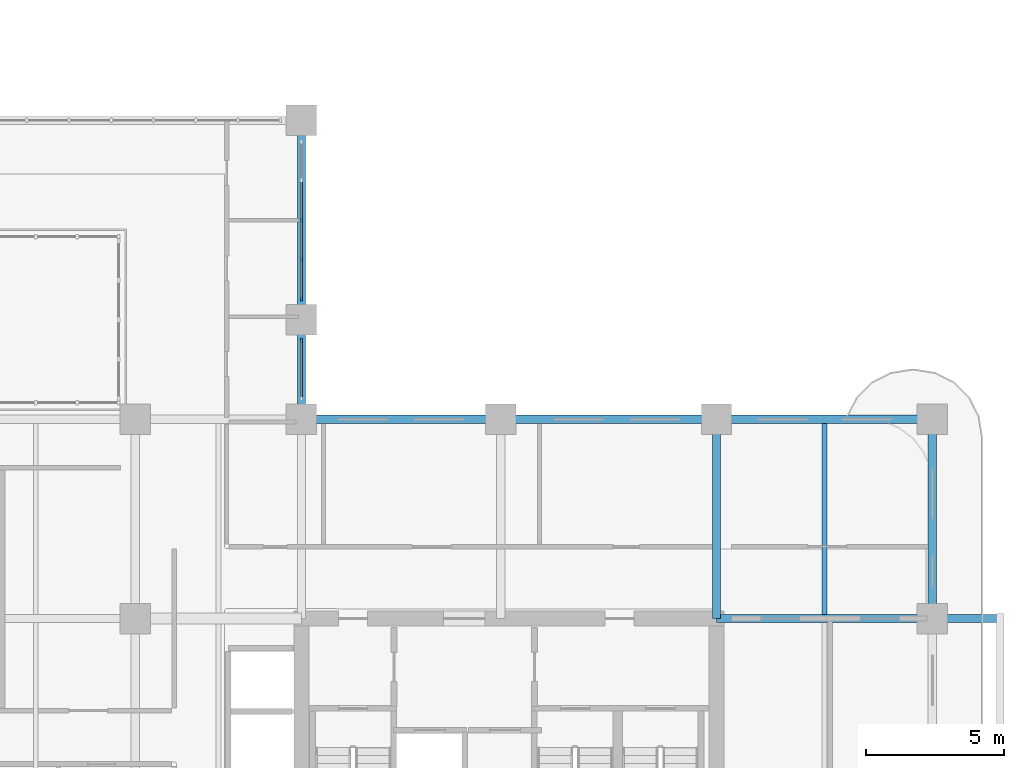
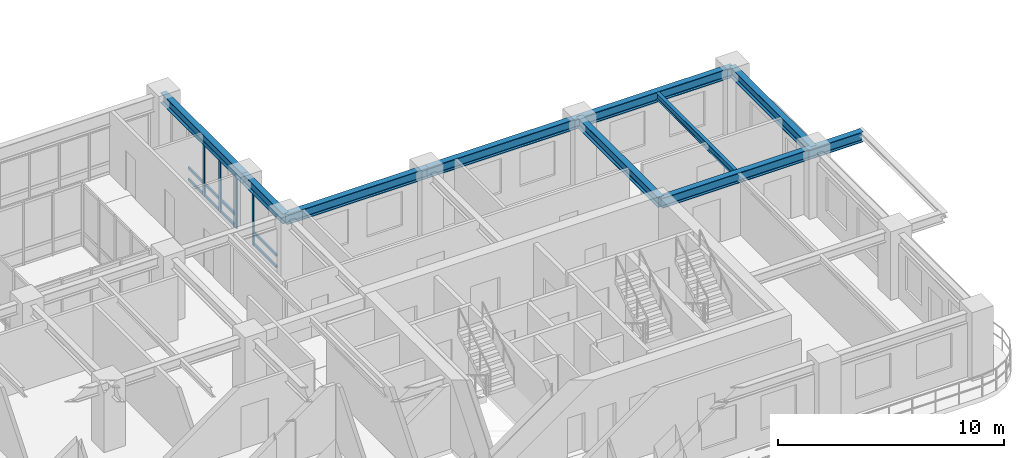
# One storey, part 5 of 22: 16 members, 9 beams, 2 elements without a shape of their own.
"""IFC4 building model written with IfcOpenShell, lengths in metres."""

from ifc_helpers import new_model, si_unit, derived_unit, direction, frame, origin, origin_2d, place, context, subcontext, project, spatial, rectangle, i_section, extrude, source, transform, mapped, material, layer, layer_set, material_profile, profile_set, type_object, type_shapes, element, aggregate, save


model = new_model("IFC4")

# Units and contexts
model_context = context("Model", 3, precision=1e-05, world=origin(), true_north=direction((0.0, 1.0)))
body_context = subcontext(model_context, "Body", "Model", "MODEL_VIEW")
ifc_project = project(units=[si_unit("LENGTHUNIT", "METRE"), si_unit("AREAUNIT", "SQUARE_METRE"), si_unit("VOLUMEUNIT", "CUBIC_METRE"), si_unit("PLANEANGLEUNIT", "RADIAN"), si_unit("MASSUNIT", "GRAM", prefix="KILO"), si_unit("THERMODYNAMICTEMPERATUREUNIT", "KELVIN"), si_unit("POWERUNIT", "WATT"), derived_unit("THERMALTRANSMITTANCEUNIT", [(si_unit("POWERUNIT", "WATT"), 1), (si_unit("AREAUNIT", "SQUARE_METRE"), -1), (si_unit("THERMODYNAMICTEMPERATUREUNIT", "KELVIN"), -1)])], contexts=[model_context])

# Site, building, storey
site_placement = place(None, origin())
site = spatial("IfcSite", under=ifc_project, at=site_placement, CompositionType="ELEMENT")
building_placement = place(site_placement, origin())
building = spatial("IfcBuilding", under=site, at=building_placement, Name="Zahravan Archway Hotel and Residences", CompositionType="ELEMENT")
storey_placement = place(building_placement, frame((0.0, 0.0, 95.300048828125)))
storey = spatial("IfcBuildingStorey", under=building, at=storey_placement, Name="L23", CompositionType="ELEMENT", Elevation=95.300048828125)

# Beams
ifc_material_1 = material(Name="Structural Steel S355JR", Category="steel")
ifc_material_profile_1 = material_profile(ifc_material_1, i_section(OverallWidth=0.300048828125, OverallDepth=0.550048828125, WebThickness=0.014892578125, FlangeThickness=0.029052734375, FilletRadius=0.027099609375, at=origin_2d()), Name="HEB 550", Category="steel")
ifc_profile_set_1 = profile_set([ifc_material_profile_1], Name="Structural Steel S355JR")
beam_type_1 = type_object("IfcBeamType", Name="BM-PRI-HEB550", PredefinedType="BEAM", material=ifc_profile_set_1)
shared_shape_1 = source(origin(), body_context, "Body", "SweptSolid", [
    extrude(i_section(OverallWidth=0.300048828125, OverallDepth=0.550048828125, WebThickness=0.014892578125, FlangeThickness=0.029052734375, FilletRadius=0.027099609375, at=origin_2d()), origin(), (0.0, 0.0, 1.0), 7.2001953125),
])
type_shapes(beam_type_1, [shared_shape_1])
for number, where, z_axis, x_axis, name in (
    (1, (49.800048828125, 14.39990234375, 3.175048828125), (0.0, 1.0, 0.0), (-1.0, 0.0, 0.0), "L23 Primary Girder NS-49"),
    (2, (57.60009765625, 14.39990234375, 3.175048828125), (0.0, 1.0, 0.0), (-1.0, 0.0, 0.0), "L23 Primary Girder NS-52"),
):
    element("IfcBeam", number, at=place(storey_placement, frame(where, z_axis=z_axis, x_axis=x_axis)), inside=storey, type_object=beam_type_1, Name=name, PredefinedType="BEAM", context=body_context, shape_type="MappedRepresentation", body=[
        mapped(shared_shape_1, transform((0.0, 0.0, 0.0), scale=1.0)),
    ])
shared_shape_2 = source(origin(), body_context, "Body", "SweptSolid", [
    extrude(i_section(OverallWidth=0.300048828125, OverallDepth=0.550048828125, WebThickness=0.014892578125, FlangeThickness=0.029052734375, FilletRadius=0.027099609375, at=origin_2d()), origin(), (0.0, 0.0, 1.0), 7.199951171875),
])
for number, where, z_axis, x_axis, name in (
    (3, (34.800048828125, 21.60009765625, 3.175048828125), (1.0, 0.0, 0.0), (0.0, 1.0, 0.0), "L23 Primary Girder EW-17"),
    (4, (34.800048828125, 25.199951171875, 3.175048828125), (0.0, 1.0, 0.0), (-1.0, 0.0, 0.0), "L23 Primary Girder NS-47"),
):
    element("IfcBeam", number, at=place(storey_placement, frame(where, z_axis=z_axis, x_axis=x_axis)), inside=storey, type_object=beam_type_1, Name=name, PredefinedType="BEAM", context=body_context, shape_type="MappedRepresentation", body=[
        mapped(shared_shape_2, transform((0.0, 0.0, 0.0), scale=1.0)),
    ])
shared_shape_3 = source(origin(), body_context, "Body", "SweptSolid", [
    extrude(i_section(OverallWidth=0.300048828125, OverallDepth=0.550048828125, WebThickness=0.014892578125, FlangeThickness=0.029052734375, FilletRadius=0.027099609375, at=origin_2d()), origin(), (0.0, 0.0, 1.0), 7.800048828125),
])
for number, where, z_axis, x_axis, name in (
    (5, (42.0, 21.60009765625, 3.175048828125), (1.0, 0.0, 0.0), (0.0, 1.0, 0.0), "L23 Primary Girder EW-18"),
    (6, (49.800048828125, 21.60009765625, 3.175048828125), (1.0, 0.0, 0.0), (0.0, 1.0, 0.0), "L23 Primary Girder EW-19"),
):
    element("IfcBeam", number, at=place(storey_placement, frame(where, z_axis=z_axis, x_axis=x_axis)), inside=storey, type_object=beam_type_1, Name=name, PredefinedType="BEAM", context=body_context, shape_type="MappedRepresentation", body=[
        mapped(shared_shape_3, transform((0.0, 0.0, 0.0), scale=1.0)),
    ])
shared_shape_4 = source(origin(), body_context, "Body", "SweptSolid", [
    extrude(i_section(OverallWidth=0.300048828125, OverallDepth=0.550048828125, WebThickness=0.014892578125, FlangeThickness=0.029052734375, FilletRadius=0.027099609375, at=origin_2d()), origin(), (0.0, 0.0, 1.0), 3.599853515625),
])
beam_1_placement = place(storey_placement, frame((34.800048828125, 21.60009765625, 3.175048828125), z_axis=(0.0, 1.0, 0.0), x_axis=(-1.0, 0.0, 0.0)))
element("IfcBeam", 7, at=beam_1_placement, inside=storey, type_object=beam_type_1, Name="L23 Primary Girder NS-46", PredefinedType="BEAM", context=body_context, shape_type="MappedRepresentation", body=[
    mapped(shared_shape_4, transform((0.0, 0.0, 0.0), scale=1.0)),
])
shared_shape_5 = source(origin(), body_context, "Body", "SweptSolid", [
    extrude(i_section(OverallWidth=0.300048828125, OverallDepth=0.550048828125, WebThickness=0.014892578125, FlangeThickness=0.029052734375, FilletRadius=0.027099609375, at=origin_2d()), origin(), (0.0, 0.0, 1.0), 10.25),
])
beam_2_placement = place(storey_placement, frame((49.800048828125, 14.39990234375, 3.175048828125), z_axis=(1.0, 0.0, 0.0), x_axis=(0.0, 1.0, 0.0)))
element("IfcBeam", 8, at=beam_2_placement, inside=storey, type_object=beam_type_1, Name="L23 Primary Girder EW-13", PredefinedType="BEAM", context=body_context, shape_type="MappedRepresentation", body=[
    mapped(shared_shape_5, transform((0.0, 0.0, 0.0), scale=1.0)),
])
ifc_material_profile_2 = material_profile(ifc_material_1, i_section(OverallWidth=0.169921875, OverallDepth=0.360107421875, WebThickness=0.008056640625, FlangeThickness=0.0126953125, FilletRadius=0.01806640625, at=origin_2d()), Name="IPE 360", Category="steel")
ifc_profile_set_2 = profile_set([ifc_material_profile_2], Name="Structural Steel S355JR")
beam_type_2 = type_object("IfcBeamType", Name="BM-JST-IPE360", PredefinedType="JOIST", material=ifc_profile_set_2)
shared_shape_6 = source(origin(), body_context, "Body", "SweptSolid", [
    extrude(i_section(OverallWidth=0.169921875, OverallDepth=0.360107421875, WebThickness=0.008056640625, FlangeThickness=0.0126953125, FilletRadius=0.01806640625, at=origin_2d()), origin(), (0.0, 0.0, 1.0), 6.90380859375),
])
beam_3_placement = place(storey_placement, frame((53.699951171875, 14.548095703125, 3.27001953125), z_axis=(0.0, 1.0, 0.0), x_axis=(-1.0, 0.0, 0.0)))
element("IfcBeam", 9, at=beam_3_placement, inside=storey, type_object=beam_type_2, Name="L23 Composite Floor Joist 12", PredefinedType="JOIST", context=body_context, shape_type="MappedRepresentation", body=[
    mapped(shared_shape_6, transform((0.0, 0.0, 0.0), scale=1.0)),
])

# Curtain wall, members
ifc_material_2 = material(Name="Bronze-Anodized Unitised Aluminium & Low-E Glass", Category="aluminium")
ifc_layer = layer(ifc_material_2, 0.179931640625, Name="Bronze-Anodized Unitised Aluminium & Low-E Glass", Category="aluminium")
ifc_layer_set = layer_set([ifc_layer], Name="Bronze-Anodized Unitised Aluminium & Low-E Glass")
curtain_wall_type = type_object("IfcCurtainWallType", Name="CW-ATR-GLAZ", PredefinedType="NOTDEFINED", material=ifc_layer_set)
curtain_wall_1_placement = place(storey_placement, origin())
curtain_wall_1 = element("IfcCurtainWall", 10, at=curtain_wall_1_placement, inside=storey, type_object=curtain_wall_type, Name="L23 Curtain Wall CW-L23-HNG-E-2", PredefinedType="NOTDEFINED")
ifc_material_3 = material(Name="Bronze-Anodized Extruded Aluminium", Category="aluminium")
ifc_material_profile_3 = material_profile(ifc_material_3, rectangle(XDim=0.080078125, YDim=0.139892578125, at=origin_2d()), Name="TRN 80x140", Category="aluminium")
ifc_profile_set_3 = profile_set([ifc_material_profile_3], Name="Bronze-Anodized Extruded Aluminium")
member_type_1 = type_object("IfcMemberType", Name="CWM-TRN-140", PredefinedType="USERDEFINED", material=ifc_profile_set_3)
shared_shape_7 = source(origin(), body_context, "Body", "SweptSolid", [
    extrude(rectangle(XDim=0.080078125, YDim=0.139892578125, at=origin_2d()), origin(), (0.0, 0.0, 1.0), 1.33984375),
])
member_1_placement = place(storey_placement, frame((34.800048828125, 28.840087890625, 0.070068359375), z_axis=(0.0, 1.0, 0.0), x_axis=(-1.0, 0.0, 0.0)))
member_1 = element("IfcMember", 11, at=member_1_placement, type_object=member_type_1, Name="CW-L23-HNG-E-2 Transom 2-1", ObjectType="TRANSOM", PredefinedType="USERDEFINED", context=body_context, shape_type="MappedRepresentation", body=[
    mapped(shared_shape_7, transform((0.0, 0.0, 0.0), scale=1.0)),
])
member_2_placement = place(storey_placement, frame((34.800048828125, 28.840087890625, 0.6923828125), z_axis=(0.0, 1.0, 0.0), x_axis=(-1.0, 0.0, 0.0)))
member_2 = element("IfcMember", 12, at=member_2_placement, type_object=member_type_1, Name="CW-L23-HNG-E-2 Transom 2-2", ObjectType="TRANSOM", PredefinedType="USERDEFINED", context=body_context, shape_type="MappedRepresentation", body=[
    mapped(shared_shape_7, transform((0.0, 0.0, 0.0), scale=1.0)),
])
member_3_placement = place(storey_placement, frame((34.800048828125, 28.840087890625, 2.81494140625), z_axis=(0.0, 1.0, 0.0), x_axis=(-1.0, 0.0, 0.0)))
member_3 = element("IfcMember", 13, at=member_3_placement, type_object=member_type_1, Name="CW-L23-HNG-E-2 Transom 2-3", ObjectType="TRANSOM", PredefinedType="USERDEFINED", context=body_context, shape_type="MappedRepresentation", body=[
    mapped(shared_shape_7, transform((0.0, 0.0, 0.0), scale=1.0)),
])
shared_shape_8 = source(origin(), body_context, "Body", "SweptSolid", [
    extrude(rectangle(XDim=0.080078125, YDim=0.139892578125, at=origin_2d()), origin(), (0.0, 0.0, 1.0), 1.340087890625),
])
member_4_placement = place(storey_placement, frame((34.800048828125, 26.0, 0.070068359375), z_axis=(0.0, 1.0, 0.0), x_axis=(-1.0, 0.0, 0.0)))
member_4 = element("IfcMember", 14, at=member_4_placement, type_object=member_type_1, Name="CW-L23-HNG-E-2 Transom 0-1", ObjectType="TRANSOM", PredefinedType="USERDEFINED", context=body_context, shape_type="MappedRepresentation", body=[
    mapped(shared_shape_8, transform((0.0, 0.0, 0.0), scale=1.0)),
])
member_5_placement = place(storey_placement, frame((34.800048828125, 26.0, 0.6923828125), z_axis=(0.0, 1.0, 0.0), x_axis=(-1.0, 0.0, 0.0)))
member_5 = element("IfcMember", 15, at=member_5_placement, type_object=member_type_1, Name="CW-L23-HNG-E-2 Transom 0-2", ObjectType="TRANSOM", PredefinedType="USERDEFINED", context=body_context, shape_type="MappedRepresentation", body=[
    mapped(shared_shape_8, transform((0.0, 0.0, 0.0), scale=1.0)),
])
member_6_placement = place(storey_placement, frame((34.800048828125, 26.0, 2.81494140625), z_axis=(0.0, 1.0, 0.0), x_axis=(-1.0, 0.0, 0.0)))
member_6 = element("IfcMember", 16, at=member_6_placement, type_object=member_type_1, Name="CW-L23-HNG-E-2 Transom 0-3", ObjectType="TRANSOM", PredefinedType="USERDEFINED", context=body_context, shape_type="MappedRepresentation", body=[
    mapped(shared_shape_8, transform((0.0, 0.0, 0.0), scale=1.0)),
])
member_7_placement = place(storey_placement, frame((34.800048828125, 27.419921875, 0.070068359375), z_axis=(0.0, 1.0, 0.0), x_axis=(-1.0, 0.0, 0.0)))
member_7 = element("IfcMember", 17, at=member_7_placement, type_object=member_type_1, Name="CW-L23-HNG-E-2 Transom 1-1", ObjectType="TRANSOM", PredefinedType="USERDEFINED", context=body_context, shape_type="MappedRepresentation", body=[
    mapped(shared_shape_8, transform((0.0, 0.0, 0.0), scale=1.0)),
])
member_8_placement = place(storey_placement, frame((34.800048828125, 27.419921875, 0.6923828125), z_axis=(0.0, 1.0, 0.0), x_axis=(-1.0, 0.0, 0.0)))
member_8 = element("IfcMember", 18, at=member_8_placement, type_object=member_type_1, Name="CW-L23-HNG-E-2 Transom 1-2", ObjectType="TRANSOM", PredefinedType="USERDEFINED", context=body_context, shape_type="MappedRepresentation", body=[
    mapped(shared_shape_8, transform((0.0, 0.0, 0.0), scale=1.0)),
])
member_9_placement = place(storey_placement, frame((34.800048828125, 27.419921875, 2.81494140625), z_axis=(0.0, 1.0, 0.0), x_axis=(-1.0, 0.0, 0.0)))
member_9 = element("IfcMember", 19, at=member_9_placement, type_object=member_type_1, Name="CW-L23-HNG-E-2 Transom 1-3", ObjectType="TRANSOM", PredefinedType="USERDEFINED", context=body_context, shape_type="MappedRepresentation", body=[
    mapped(shared_shape_8, transform((0.0, 0.0, 0.0), scale=1.0)),
])

# Curtain wall, member
curtain_wall_2_placement = place(storey_placement, origin())
curtain_wall_2 = element("IfcCurtainWall", 20, at=curtain_wall_2_placement, inside=storey, type_object=curtain_wall_type, Name="L23 Curtain Wall CW-L23-HNG-E-1", PredefinedType="NOTDEFINED")
ifc_material_profile_4 = material_profile(ifc_material_3, rectangle(XDim=0.080078125, YDim=0.159912109375, at=origin_2d()), Name="MUL 80x160", Category="aluminium")
ifc_profile_set_4 = profile_set([ifc_material_profile_4], Name="Bronze-Anodized Extruded Aluminium")
member_type_2 = type_object("IfcMemberType", Name="CWM-MUL-160", PredefinedType="MULLION", material=ifc_profile_set_4)
shared_shape_9 = source(origin(), body_context, "Body", "SweptSolid", [
    extrude(rectangle(XDim=0.080078125, YDim=0.159912109375, at=origin_2d()), origin(), (0.0, 0.0, 1.0), 2.885009765625),
])
member_10_placement = place(storey_placement, frame((34.800048828125, 24.43994140625, 0.0), z_axis=(0.0, 0.0, 1.0), x_axis=(1.0, 0.0, 0.0)))
member_10 = element("IfcMember", 21, at=member_10_placement, type_object=member_type_2, Name="CW-L23-HNG-E-1 Mullion 1", PredefinedType="MULLION", context=body_context, shape_type="MappedRepresentation", body=[
    mapped(shared_shape_9, transform((0.0, 0.0, 0.0), scale=1.0)),
])

# Member
member_11_placement = place(storey_placement, frame((34.800048828125, 25.9599609375, 0.0), z_axis=(0.0, 0.0, 1.0), x_axis=(1.0, 0.0, 0.0)))
member_11 = element("IfcMember", 22, at=member_11_placement, type_object=member_type_2, Name="CW-L23-HNG-E-2 Mullion 0", PredefinedType="MULLION", context=body_context, shape_type="MappedRepresentation", body=[
    mapped(shared_shape_9, transform((0.0, 0.0, 0.0), scale=1.0)),
])

member_12_placement = place(storey_placement, frame((34.800048828125, 27.3798828125, 0.0), z_axis=(0.0, 0.0, 1.0), x_axis=(1.0, 0.0, 0.0)))
member_12 = element("IfcMember", 23, at=member_12_placement, type_object=member_type_2, Name="CW-L23-HNG-E-2 Mullion 1", PredefinedType="MULLION", context=body_context, shape_type="MappedRepresentation", body=[
    mapped(shared_shape_9, transform((0.0, 0.0, 0.0), scale=1.0)),
])

member_13_placement = place(storey_placement, frame((34.800048828125, 28.800048828125, 0.0), z_axis=(0.0, 0.0, 1.0), x_axis=(1.0, 0.0, 0.0)))
member_13 = element("IfcMember", 24, at=member_13_placement, type_object=member_type_2, Name="CW-L23-HNG-E-2 Mullion 2", PredefinedType="MULLION", context=body_context, shape_type="MappedRepresentation", body=[
    mapped(shared_shape_9, transform((0.0, 0.0, 0.0), scale=1.0)),
])

aggregate(curtain_wall_1, [member_11, member_12, member_13, member_4, member_5, member_6, member_7, member_8, member_9, member_1, member_2, member_3])

shared_shape_10 = source(origin(), body_context, "Body", "SweptSolid", [
    extrude(rectangle(XDim=0.080078125, YDim=0.139892578125, at=origin_2d()), origin(), (0.0, 0.0, 1.0), 2.0),
])
member_14_placement = place(storey_placement, frame((34.800048828125, 22.39990234375, 0.070068359375), z_axis=(0.0, 1.0, 0.0), x_axis=(-1.0, 0.0, 0.0)))
member_14 = element("IfcMember", 25, at=member_14_placement, type_object=member_type_1, Name="CW-L23-HNG-E-1 Transom 0-1", ObjectType="TRANSOM", PredefinedType="USERDEFINED", context=body_context, shape_type="MappedRepresentation", body=[
    mapped(shared_shape_10, transform((0.0, 0.0, 0.0), scale=1.0)),
])

member_15_placement = place(storey_placement, frame((34.800048828125, 22.39990234375, 0.6923828125), z_axis=(0.0, 1.0, 0.0), x_axis=(-1.0, 0.0, 0.0)))
member_15 = element("IfcMember", 26, at=member_15_placement, type_object=member_type_1, Name="CW-L23-HNG-E-1 Transom 0-2", ObjectType="TRANSOM", PredefinedType="USERDEFINED", context=body_context, shape_type="MappedRepresentation", body=[
    mapped(shared_shape_10, transform((0.0, 0.0, 0.0), scale=1.0)),
])

member_16_placement = place(storey_placement, frame((34.800048828125, 22.39990234375, 2.81494140625), z_axis=(0.0, 1.0, 0.0), x_axis=(-1.0, 0.0, 0.0)))
member_16 = element("IfcMember", 27, at=member_16_placement, type_object=member_type_1, Name="CW-L23-HNG-E-1 Transom 0-3", ObjectType="TRANSOM", PredefinedType="USERDEFINED", context=body_context, shape_type="MappedRepresentation", body=[
    mapped(shared_shape_10, transform((0.0, 0.0, 0.0), scale=1.0)),
])

aggregate(curtain_wall_2, [member_10, member_14, member_15, member_16])

save(model, "model.ifc")
